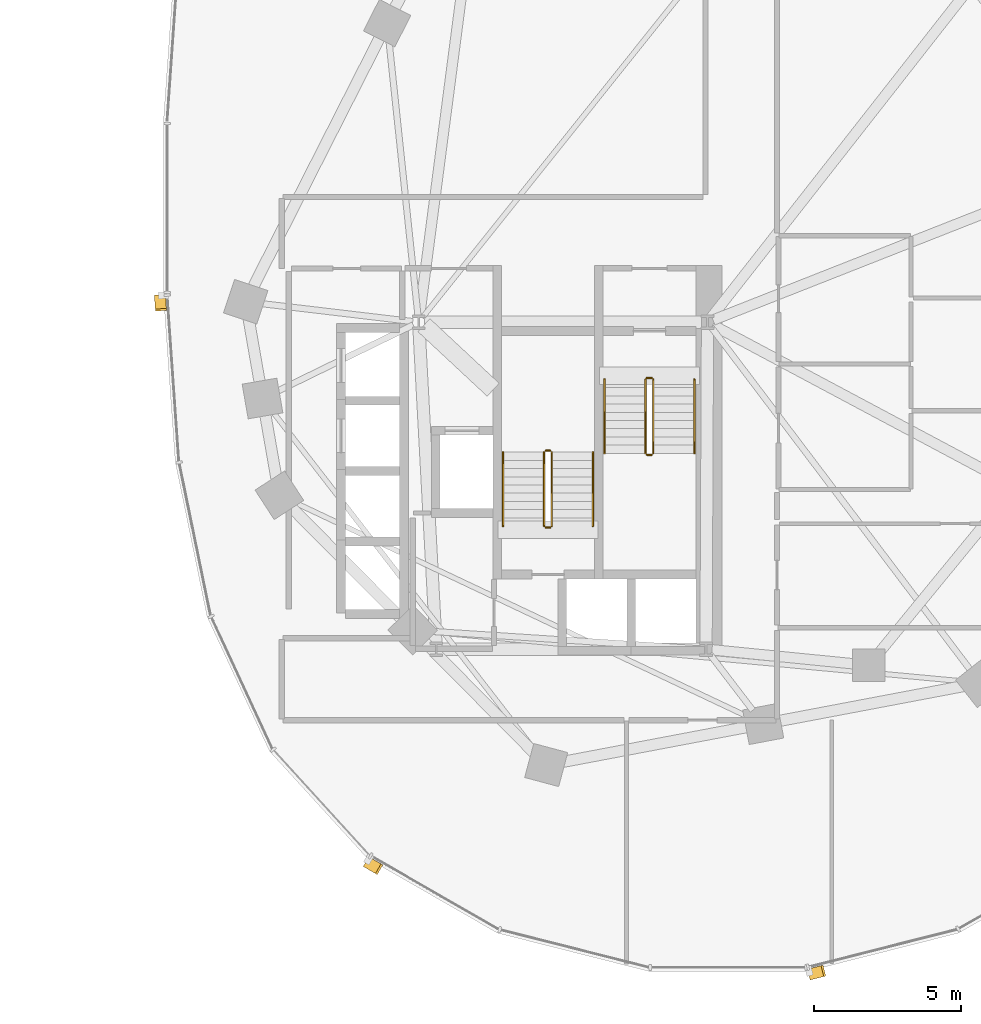
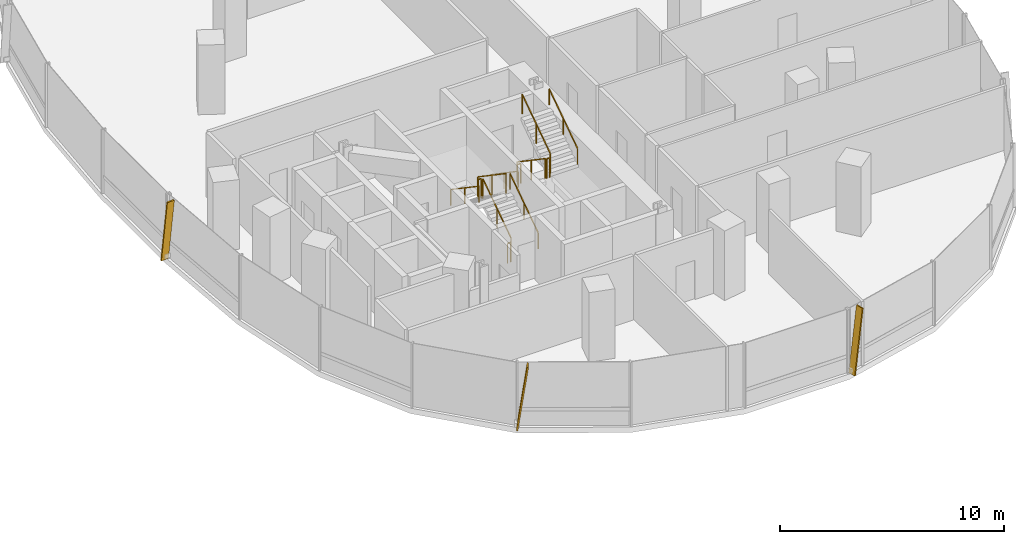
# One storey, part 20 of 21: 12 railings, 3 shading devices.
"""IFC4 building model written with IfcOpenShell, lengths in metres."""

from ifc_helpers import new_model, si_unit, direction, frame, origin, origin_2d, place, context, subcontext, project, spatial, rectangle, extrude, material, material_profile, profile_set, type_object, element, save


model = new_model("IFC4")

# Units and contexts
model_context = context("Model", 3, precision=1e-05, world=origin(), true_north=direction((0.0, 1.0)))
body_context = subcontext(model_context, "Body", "Model", "MODEL_VIEW")
ifc_project = project(units=[si_unit("LENGTHUNIT", "METRE"), si_unit("AREAUNIT", "SQUARE_METRE"), si_unit("VOLUMEUNIT", "CUBIC_METRE"), si_unit("PLANEANGLEUNIT", "RADIAN"), si_unit("MASSUNIT", "GRAM", prefix="KILO"), si_unit("THERMODYNAMICTEMPERATUREUNIT", "KELVIN"), si_unit("POWERUNIT", "WATT")], contexts=[model_context])

# Site, building, storey
site_placement = place(None, origin())
site = spatial("IfcSite", under=ifc_project, at=site_placement, CompositionType="ELEMENT")
building_placement = place(site_placement, origin())
building = spatial("IfcBuilding", under=site, at=building_placement, Name="Cundina Bronze Exchange", CompositionType="ELEMENT")
storey_placement = place(building_placement, frame((0.0, 0.0, 27.800048828125)))
storey = spatial("IfcBuildingStorey", under=building, at=storey_placement, Name="L06", CompositionType="ELEMENT", Elevation=27.800048828125)

# Railings
ifc_material_1 = material(Name="Steel ASTM A36 Painted", Category="steel")
railing_type_1 = type_object("IfcRailingType", Name="RLG-HND-900", PredefinedType="HANDRAIL", material=ifc_material_1)
railing_1_placement = place(storey_placement, frame((27.7900390625, -5.85009765625, 0.18994140625)))
element("IfcRailing", 1, at=railing_1_placement, inside=storey, type_object=railing_type_1, Name="L06 ST-E1 stair handrail 1", PredefinedType="HANDRAIL", context=body_context, shape_type="SweptSolid", body=[
    extrude(rectangle(XDim=0.048095703125, YDim=0.048095703125, at=origin_2d()), frame((0.0, 0.0, 0.8759765625), z_axis=(0.0, -0.827483756001, 0.561489655786), x_axis=(1.0, 0.0, 0.0)), (0.0, 0.0, 1.0), 3.04541015625),
    extrude(rectangle(XDim=0.0419921875, YDim=0.0419921875, at=origin_2d()), origin(), (0.0, 0.0, 1.0), 0.851806640625),
    extrude(rectangle(XDim=0.0419921875, YDim=0.0419921875, at=origin_2d()), frame((0.0, -1.260009765625, 0.85498046875)), (0.0, 0.0, 1.0), 0.851806640625),
    extrude(rectangle(XDim=0.0419921875, YDim=0.0419921875, at=origin_2d()), frame((0.0, -2.52001953125, 1.7099609375)), (0.0, 0.0, 1.0), 0.851806640625),
])
railing_2_placement = place(storey_placement, frame((30.85009765625, -8.3701171875, 2.08984375)))
element("IfcRailing", 2, at=railing_2_placement, inside=storey, type_object=railing_type_1, Name="L06 ST-E1 stair handrail 2", PredefinedType="HANDRAIL", context=body_context, shape_type="SweptSolid", body=[
    extrude(rectangle(XDim=0.048095703125, YDim=0.048095703125, at=origin_2d()), frame((0.0, 0.0, 0.8759765625), z_axis=(0.0, 0.82744650838, 0.561544544778), x_axis=(-1.0, 0.0, 0.0)), (0.0, 0.0, 1.0), 3.045654296875),
    extrude(rectangle(XDim=0.0419921875, YDim=0.0419921875, at=origin_2d()), origin(), (0.0, 0.0, 1.0), 0.851806640625),
    extrude(rectangle(XDim=0.0419921875, YDim=0.0419921875, at=origin_2d()), frame((0.0, 1.260009765625, 0.85498046875)), (0.0, 0.0, 1.0), 0.851806640625),
    extrude(rectangle(XDim=0.0419921875, YDim=0.0419921875, at=origin_2d()), frame((0.0, 2.52001953125, 1.710205078125)), (0.0, 0.0, 1.0), 0.851806640625),
])
railing_3_placement = place(storey_placement, frame((27.389892578125, -10.85009765625, 0.18994140625)))
element("IfcRailing", 3, at=railing_3_placement, inside=storey, type_object=railing_type_1, Name="L06 ST-E2 stair handrail 1", PredefinedType="HANDRAIL", context=body_context, shape_type="SweptSolid", body=[
    extrude(rectangle(XDim=0.048095703125, YDim=0.048095703125, at=origin_2d()), frame((0.0, 0.0, 0.8759765625), z_axis=(0.0, 0.827483756001, 0.561489655786), x_axis=(-1.0, 0.0, 0.0)), (0.0, 0.0, 1.0), 3.04541015625),
    extrude(rectangle(XDim=0.0419921875, YDim=0.0419921875, at=origin_2d()), origin(), (0.0, 0.0, 1.0), 0.851806640625),
    extrude(rectangle(XDim=0.0419921875, YDim=0.0419921875, at=origin_2d()), frame((0.0, 1.260009765625, 0.85498046875)), (0.0, 0.0, 1.0), 0.851806640625),
    extrude(rectangle(XDim=0.0419921875, YDim=0.0419921875, at=origin_2d()), frame((0.0, 2.52001953125, 1.7099609375)), (0.0, 0.0, 1.0), 0.851806640625),
])
railing_4_placement = place(storey_placement, frame((24.330078125, -8.330078125, 2.08984375)))
element("IfcRailing", 4, at=railing_4_placement, inside=storey, type_object=railing_type_1, Name="L06 ST-E2 stair handrail 2", PredefinedType="HANDRAIL", context=body_context, shape_type="SweptSolid", body=[
    extrude(rectangle(XDim=0.048095703125, YDim=0.048095703125, at=origin_2d()), frame((0.0, 0.0, 0.8759765625), z_axis=(0.0, -0.82744650838, 0.561544544778), x_axis=(1.0, 0.0, 0.0)), (0.0, 0.0, 1.0), 3.045654296875),
    extrude(rectangle(XDim=0.0419921875, YDim=0.0419921875, at=origin_2d()), origin(), (0.0, 0.0, 1.0), 0.851806640625),
    extrude(rectangle(XDim=0.0419921875, YDim=0.0419921875, at=origin_2d()), frame((0.0, -1.260009765625, 0.85498046875)), (0.0, 0.0, 1.0), 0.851806640625),
    extrude(rectangle(XDim=0.0419921875, YDim=0.0419921875, at=origin_2d()), frame((0.0, -2.52001953125, 1.710205078125)), (0.0, 0.0, 1.0), 0.851806640625),
])
railing_type_2 = type_object("IfcRailingType", Name="RLG-STG-1100", PredefinedType="GUARDRAIL", material=ifc_material_1)
railing_5_placement = place(storey_placement, frame((29.18994140625, -5.85009765625, 0.18994140625)))
element("IfcRailing", 5, at=railing_5_placement, inside=storey, type_object=railing_type_2, Name="L06 ST-E1 stair guard 1", PredefinedType="GUARDRAIL", context=body_context, shape_type="SweptSolid", body=[
    extrude(rectangle(XDim=0.048095703125, YDim=0.048095703125, at=origin_2d()), frame((0.0, 0.0, 1.076171875), z_axis=(0.0, -0.827483756001, 0.561489655786), x_axis=(1.0, 0.0, 0.0)), (0.0, 0.0, 1.0), 3.04541015625),
    extrude(rectangle(XDim=0.0419921875, YDim=0.0419921875, at=origin_2d()), origin(), (0.0, 0.0, 1.0), 1.052001953125),
    extrude(rectangle(XDim=0.0419921875, YDim=0.0419921875, at=origin_2d()), frame((0.0, -1.260009765625, 0.85498046875)), (0.0, 0.0, 1.0), 1.052001953125),
    extrude(rectangle(XDim=0.0419921875, YDim=0.0419921875, at=origin_2d()), frame((0.0, -2.52001953125, 1.7099609375)), (0.0, 0.0, 1.0), 1.052001953125),
])
railing_6_placement = place(storey_placement, frame((29.239990234375, -8.419921875, 1.89990234375)))
element("IfcRailing", 6, at=railing_6_placement, inside=storey, type_object=railing_type_2, Name="L06 ST-E1 stair guard 2", PredefinedType="GUARDRAIL", context=body_context, shape_type="SweptSolid", body=[
    extrude(rectangle(XDim=0.048095703125, YDim=0.048095703125, at=origin_2d()), frame((0.0, 0.0, 1.076171875), z_axis=(1.0, 0.0, 0.0), x_axis=(0.0, 1.0, 0.0)), (0.0, 0.0, 1.0), 0.159912109375),
    extrude(rectangle(XDim=0.0419921875, YDim=0.0419921875, at=origin_2d()), origin(), (0.0, 0.0, 1.0), 1.052001953125),
    extrude(rectangle(XDim=0.0419921875, YDim=0.0419921875, at=origin_2d()), frame((0.159912109375, 0.0, 0.0)), (0.0, 0.0, 1.0), 1.052001953125),
])
railing_7_placement = place(storey_placement, frame((29.449951171875, -8.3701171875, 2.08984375)))
element("IfcRailing", 7, at=railing_7_placement, inside=storey, type_object=railing_type_2, Name="L06 ST-E1 stair guard 3", PredefinedType="GUARDRAIL", context=body_context, shape_type="SweptSolid", body=[
    extrude(rectangle(XDim=0.048095703125, YDim=0.048095703125, at=origin_2d()), frame((0.0, 0.0, 1.076171875), z_axis=(0.0, 0.82744650838, 0.561544544778), x_axis=(-1.0, 0.0, 0.0)), (0.0, 0.0, 1.0), 3.045654296875),
    extrude(rectangle(XDim=0.0419921875, YDim=0.0419921875, at=origin_2d()), origin(), (0.0, 0.0, 1.0), 1.052001953125),
    extrude(rectangle(XDim=0.0419921875, YDim=0.0419921875, at=origin_2d()), frame((0.0, 1.260009765625, 0.85498046875)), (0.0, 0.0, 1.0), 1.052001953125),
    extrude(rectangle(XDim=0.0419921875, YDim=0.0419921875, at=origin_2d()), frame((0.0, 2.52001953125, 1.710205078125)), (0.0, 0.0, 1.0), 1.052001953125),
])
railing_8_placement = place(storey_placement, frame((29.239990234375, -5.800048828125, 0.0)))
element("IfcRailing", 8, at=railing_8_placement, inside=storey, type_object=railing_type_2, Name="L06 ST-E1 stair guard 4", PredefinedType="GUARDRAIL", context=body_context, shape_type="SweptSolid", body=[
    extrude(rectangle(XDim=0.048095703125, YDim=0.048095703125, at=origin_2d()), frame((0.0, 0.0, 1.076171875), z_axis=(1.0, 0.0, 0.0), x_axis=(0.0, 1.0, 0.0)), (0.0, 0.0, 1.0), 0.159912109375),
    extrude(rectangle(XDim=0.0419921875, YDim=0.0419921875, at=origin_2d()), origin(), (0.0, 0.0, 1.0), 1.052001953125),
    extrude(rectangle(XDim=0.0419921875, YDim=0.0419921875, at=origin_2d()), frame((0.159912109375, 0.0, 0.0)), (0.0, 0.0, 1.0), 1.052001953125),
])
railing_9_placement = place(storey_placement, frame((25.989990234375, -10.85009765625, 0.18994140625)))
element("IfcRailing", 9, at=railing_9_placement, inside=storey, type_object=railing_type_2, Name="L06 ST-E2 stair guard 1", PredefinedType="GUARDRAIL", context=body_context, shape_type="SweptSolid", body=[
    extrude(rectangle(XDim=0.048095703125, YDim=0.048095703125, at=origin_2d()), frame((0.0, 0.0, 1.076171875), z_axis=(0.0, 0.827483756001, 0.561489655786), x_axis=(-1.0, 0.0, 0.0)), (0.0, 0.0, 1.0), 3.04541015625),
    extrude(rectangle(XDim=0.0419921875, YDim=0.0419921875, at=origin_2d()), origin(), (0.0, 0.0, 1.0), 1.052001953125),
    extrude(rectangle(XDim=0.0419921875, YDim=0.0419921875, at=origin_2d()), frame((0.0, 1.260009765625, 0.85498046875)), (0.0, 0.0, 1.0), 1.052001953125),
    extrude(rectangle(XDim=0.0419921875, YDim=0.0419921875, at=origin_2d()), frame((0.0, 2.52001953125, 1.7099609375)), (0.0, 0.0, 1.0), 1.052001953125),
])
railing_10_placement = place(storey_placement, frame((25.93994140625, -8.280029296875, 1.89990234375)))
element("IfcRailing", 10, at=railing_10_placement, inside=storey, type_object=railing_type_2, Name="L06 ST-E2 stair guard 2", PredefinedType="GUARDRAIL", context=body_context, shape_type="SweptSolid", body=[
    extrude(rectangle(XDim=0.048095703125, YDim=0.048095703125, at=origin_2d()), frame((0.0, 0.0, 1.076171875), z_axis=(-1.0, 0.0, 0.0), x_axis=(0.0, -1.0, 0.0)), (0.0, 0.0, 1.0), 0.159912109375),
    extrude(rectangle(XDim=0.0419921875, YDim=0.0419921875, at=origin_2d()), origin(), (0.0, 0.0, 1.0), 1.052001953125),
    extrude(rectangle(XDim=0.0419921875, YDim=0.0419921875, at=origin_2d()), frame((-0.159912109375, 0.0, 0.0)), (0.0, 0.0, 1.0), 1.052001953125),
])
railing_11_placement = place(storey_placement, frame((25.72998046875, -8.330078125, 2.08984375)))
element("IfcRailing", 11, at=railing_11_placement, inside=storey, type_object=railing_type_2, Name="L06 ST-E2 stair guard 3", PredefinedType="GUARDRAIL", context=body_context, shape_type="SweptSolid", body=[
    extrude(rectangle(XDim=0.048095703125, YDim=0.048095703125, at=origin_2d()), frame((0.0, 0.0, 1.076171875), z_axis=(0.0, -0.82744650838, 0.561544544778), x_axis=(1.0, 0.0, 0.0)), (0.0, 0.0, 1.0), 3.045654296875),
    extrude(rectangle(XDim=0.0419921875, YDim=0.0419921875, at=origin_2d()), origin(), (0.0, 0.0, 1.0), 1.052001953125),
    extrude(rectangle(XDim=0.0419921875, YDim=0.0419921875, at=origin_2d()), frame((0.0, -1.260009765625, 0.85498046875)), (0.0, 0.0, 1.0), 1.052001953125),
    extrude(rectangle(XDim=0.0419921875, YDim=0.0419921875, at=origin_2d()), frame((0.0, -2.52001953125, 1.710205078125)), (0.0, 0.0, 1.0), 1.052001953125),
])
railing_12_placement = place(storey_placement, frame((25.93994140625, -10.89990234375, 0.0)))
element("IfcRailing", 12, at=railing_12_placement, inside=storey, type_object=railing_type_2, Name="L06 ST-E2 stair guard 4", PredefinedType="GUARDRAIL", context=body_context, shape_type="SweptSolid", body=[
    extrude(rectangle(XDim=0.048095703125, YDim=0.048095703125, at=origin_2d()), frame((0.0, 0.0, 1.076171875), z_axis=(-1.0, 0.0, 0.0), x_axis=(0.0, -1.0, 0.0)), (0.0, 0.0, 1.0), 0.159912109375),
    extrude(rectangle(XDim=0.0419921875, YDim=0.0419921875, at=origin_2d()), origin(), (0.0, 0.0, 1.0), 1.052001953125),
    extrude(rectangle(XDim=0.0419921875, YDim=0.0419921875, at=origin_2d()), frame((-0.159912109375, 0.0, 0.0)), (0.0, 0.0, 1.0), 1.052001953125),
])

# Shading devices
ifc_material_2 = material(Name="Anodised Bronze Aluminium 6063-T6", Category="aluminium")
ifc_material_profile = material_profile(ifc_material_2, rectangle(XDim=0.070068359375, YDim=0.3798828125, at=origin_2d()), Name="FIN70X380", Category="aluminium")
ifc_profile_set = profile_set([ifc_material_profile], Name="Anodised Bronze Aluminium 6063-T6")
shading_device_type = type_object("IfcShadingDeviceType", Name="SHD-FIN-BRZ380", PredefinedType="USERDEFINED", material=ifc_profile_set)
for number, where, z_axis, x_axis, name in (
    (13, (12.6259765625, -2.993896484375, 0.02001953125), (0.009645159174, -0.137059109714, 0.990515911709), (-0.06953288269, 0.988072340253, 0.137398066402), "L06 Diagonal Bronze Solar Fin 1"),
    (14, (19.685791015625, -22.314208984375, 0.02001953125), (0.119166378275, -0.06842456559, 0.990513731915), (-0.85898178632, 0.493221799887, 0.137413779831), "L06 Diagonal Bronze Solar Fin 5"),
    (15, (34.787353515625, -26.138427734375, 0.02001953125), (0.133214830938, 0.033688115694, 0.990514472221), (-0.960284642503, -0.242842181368, 0.137408443412), "L06 Diagonal Bronze Solar Fin 1"),
):
    element("IfcShadingDevice", number, at=place(storey_placement, frame(where, z_axis=z_axis, x_axis=x_axis)), inside=storey, type_object=shading_device_type, Name=name, ObjectType="FIN", PredefinedType="USERDEFINED", context=body_context, shape_type="SweptSolid", body=[
        extrude(rectangle(XDim=0.070068359375, YDim=0.3798828125, at=origin_2d()), origin(), (0.0, 0.0, 1.0), 3.4931640625),
    ])

save(model, "model.ifc")
